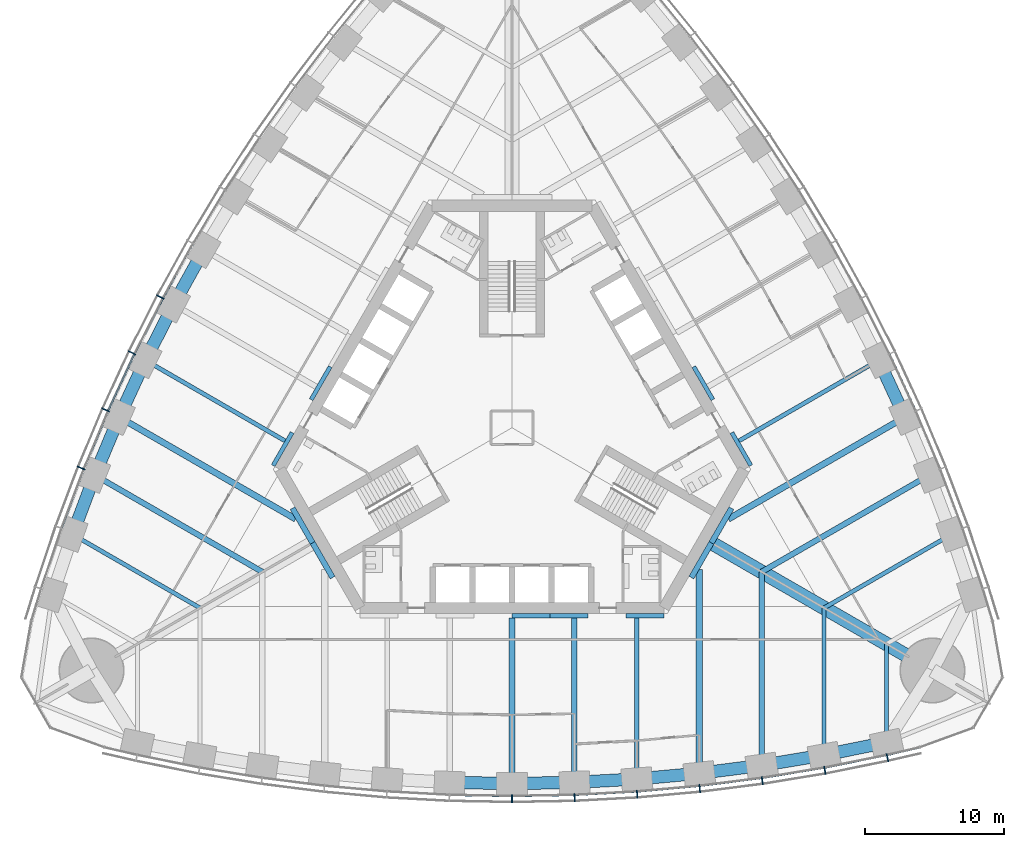
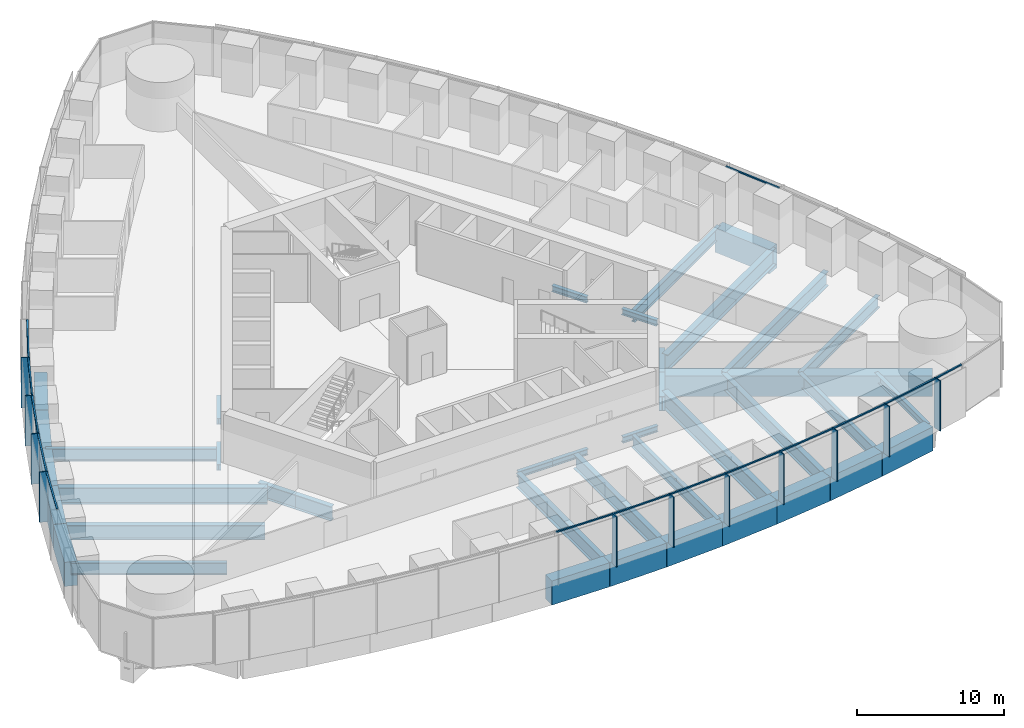
# One storey, part 3 of 18: 40 beams, 25 members, 3 elements without a shape of their own.
"""IFC4 building model written with IfcOpenShell, lengths in metres."""

import ifcopenshell
import ifcopenshell.guid

model = None  # the IFC model being written
_history = None  # IfcOwnerHistory: only IFC2X3 demands one
_inside = {}  # id of a spatial element -> (the spatial element, [elements in it])
_under = {}  # id of a project, library or spatial element -> (it, [spatial elements below it])
_declared = {}  # id of a project -> (the project, [libraries it declares])
_typed = {}  # id of a type object -> (the type object, [elements of that type])
_made_of = {}  # id of a material, layer set ... -> (it, [elements and type objects made of it])


def new_model(schema):
    """Start an empty IFC model of exactly this schema.

    Asked for "IFC4X3", IfcOpenShell would pick the latest addendum, in which some entities
    have other attributes; the version numbers below select the first issue.
    IFC2X3 requires an IfcOwnerHistory on every rooted entity: one is made here for all.
    """
    global model, _history
    if schema == "IFC4X3":
        model = ifcopenshell.file(schema_version=(4, 3, 0, 0))
    else:
        model = ifcopenshell.file(schema=schema)
    _inside.clear()
    _under.clear()
    _declared.clear()
    _typed.clear()
    _made_of.clear()
    _history = None
    if model.schema == "IFC2X3":
        org = make("IfcOrganization", Name="unknown")
        user = make(
            "IfcPersonAndOrganization",
            ThePerson=make("IfcPerson", FamilyName="unknown"),
            TheOrganization=org,
        )
        app = make(
            "IfcApplication",
            ApplicationDeveloper=org,
            Version="unknown",
            ApplicationFullName="unknown",
            ApplicationIdentifier="unknown",
        )
        _history = make(
            "IfcOwnerHistory",
            OwningUser=user,
            OwningApplication=app,
            ChangeAction="ADDED",
            CreationDate=0,
        )
    return model


def make(cls, **values):
    """One entity of the class cls with the attributes given. An attribute that is None is left unset."""
    return model.create_entity(
        cls, **{name: value for name, value in values.items() if value is not None}
    )


def rooted(cls, **values):
    """An entity with a GlobalId (a new one), such as an element, a storey or a relation."""
    return make(cls, GlobalId=ifcopenshell.guid.new(), OwnerHistory=_history, **values)


def si_unit(unit_type, name, prefix=None):
    """IfcSIUnit, for example si_unit("LENGTHUNIT", "METRE", prefix="MILLI")."""
    return make("IfcSIUnit", UnitType=unit_type, Prefix=prefix, Name=name)


def assignment(units):
    """IfcUnitAssignment: the units of a project."""
    return None if units is None else make("IfcUnitAssignment", Units=units)


def point(xyz):
    """IfcCartesianPoint."""
    return None if xyz is None else make("IfcCartesianPoint", Coordinates=xyz)


def direction(xyz):
    """IfcDirection."""
    return None if xyz is None else make("IfcDirection", DirectionRatios=xyz)


def frame(location, z_axis=None, x_axis=None):
    """IfcAxis2Placement3D, a coordinate frame: its origin and axes. An axis left out is left unset."""
    return make(
        "IfcAxis2Placement3D",
        Location=point(location),
        Axis=direction(z_axis),
        RefDirection=direction(x_axis),
    )


def frame_2d(location, x_axis=None):
    """IfcAxis2Placement2D, a coordinate frame in the plane: its origin and x axis."""
    return make(
        "IfcAxis2Placement2D", Location=point(location), RefDirection=direction(x_axis)
    )


def origin():
    """The frame at (0, 0, 0) with its axes left unset."""
    return frame((0.0, 0.0, 0.0))


def origin_2d():
    """The frame at (0, 0) in the plane with its x axis left unset."""
    return frame_2d((0.0, 0.0))


def place(relative_to, where):
    """IfcLocalPlacement: puts the frame where relative to a parent placement (None: the world)."""
    return make(
        "IfcLocalPlacement", PlacementRelTo=relative_to, RelativePlacement=where
    )


def context(
    kind, dimensions, precision=None, world=None, true_north=None, identifier=None
):
    """IfcGeometricRepresentationContext, for example the 3D "Model" context."""
    return make(
        "IfcGeometricRepresentationContext",
        ContextIdentifier=identifier,
        ContextType=kind,
        CoordinateSpaceDimension=dimensions,
        Precision=precision,
        WorldCoordinateSystem=world,
        TrueNorth=true_north,
    )


def subcontext(parent, identifier, kind, view, scale=None):
    """IfcGeometricRepresentationSubContext, for example "Body" below "Model"."""
    return make(
        "IfcGeometricRepresentationSubContext",
        ContextIdentifier=identifier,
        ContextType=kind,
        ParentContext=parent,
        TargetScale=scale,
        TargetView=view,
    )


def project(units=None, contexts=None):
    """IfcProject with its units and contexts."""
    return rooted(
        "IfcProject",
        Name="project",
        RepresentationContexts=contexts,
        UnitsInContext=assignment(units),
    )


def spatial(cls, under=None, at=None, **own):
    """A site, building, storey or space (cls), placed at a placement, below another one or the project."""
    s = rooted(cls, ObjectPlacement=at, **own)
    if under is not None:
        _under.setdefault(under.id(), (under, []))[1].append(s)
    return s


def profile(cls, at=None, kind="AREA", **sizes):
    """A parametric profile (cls). Its sizes go by their IFC names, for example OverallWidth=200.0."""
    return make(cls, ProfileType=kind, Position=at, **sizes)


def rectangle(**sizes):
    """IfcRectangleProfileDef."""
    return profile("IfcRectangleProfileDef", **sizes)


def i_section(**sizes):
    """IfcIShapeProfileDef."""
    return profile("IfcIShapeProfileDef", **sizes)


def extrude(swept, where, along, depth):
    """IfcExtrudedAreaSolid: the profile swept, set in the frame where, extruded along a direction by depth."""
    return make(
        "IfcExtrudedAreaSolid",
        SweptArea=swept,
        Position=where,
        ExtrudedDirection=direction(along),
        Depth=depth,
    )


def shape(context_of_items, identifier, shape_type, items):
    """IfcShapeRepresentation: the items that make up one representation, for example the "Body"."""
    return make(
        "IfcShapeRepresentation",
        ContextOfItems=context_of_items,
        RepresentationIdentifier=identifier,
        RepresentationType=shape_type,
        Items=items,
    )


def material(Name=None, Category=None):
    """IfcMaterial."""
    return make("IfcMaterial", Name=Name, Category=Category)


def material_profile(
    of_material, cross_section, Name=None, Category=None, Priority=None
):
    """IfcMaterialProfile: a cross section and its material."""
    return make(
        "IfcMaterialProfile",
        Name=Name,
        Material=of_material,
        Profile=cross_section,
        Priority=Priority,
        Category=Category,
    )


def profile_set(profiles, Name=None, composite=None):
    """IfcMaterialProfileSet."""
    return make(
        "IfcMaterialProfileSet",
        Name=Name,
        MaterialProfiles=profiles,
        CompositeProfile=composite,
    )


def made_of(thing, what):
    """Note that an element or type object is made of a material, layer set ...; save() writes the relation."""
    if what is not None:
        _made_of.setdefault(what.id(), (what, []))[1].append(thing)
    return thing


def type_object(cls, material=None, **own):
    """A type object (cls), such as IfcWallType, which elements share."""
    return made_of(rooted(cls, **own), material)


def element(
    cls,
    number,
    at=None,
    inside=None,
    cuts=None,
    type_object=None,
    material=None,
    context=None,
    identifier="Body",
    shape_type=None,
    held_by="IfcProductDefinitionShape",
    body=None,
    shapes=None,
    **own,
):
    """One element of the class cls, such as IfcWall. Its Tag is "e" and its number.

    at: its placement. inside: the storey or other place that contains it. cuts: it is an
    opening in that element (IfcRelVoidsElement). A single representation is given by context,
    identifier, shape_type and body (its items); several are given by shapes. held_by: the class
    of the entity that holds the representations. save() writes the other relations.
    """
    e = rooted(cls, Tag="e%d" % number, ObjectPlacement=at, **own)
    if body is not None:
        shapes = [shape(context, identifier, shape_type, body)]
    if shapes is not None:
        e.Representation = make(held_by, Representations=shapes)
    if inside is not None:
        _inside.setdefault(inside.id(), (inside, []))[1].append(e)
    if cuts is not None:
        rooted(
            "IfcRelVoidsElement", RelatingBuildingElement=cuts, RelatedOpeningElement=e
        )
    if type_object is not None:
        _typed.setdefault(type_object.id(), (type_object, []))[1].append(e)
    return made_of(e, material)


def aggregate(whole, parts):
    """IfcRelAggregates: a whole, such as a stair, and the parts it consists of."""
    return rooted("IfcRelAggregates", RelatingObject=whole, RelatedObjects=parts)


def save(model, path):
    """Write the relations noted so far, then the file.

    IfcRelAggregates (storeys below a building ...), IfcRelContainedInSpatialStructure (elements
    in a storey), IfcRelDefinesByType, IfcRelAssociatesMaterial and IfcRelDeclares: one each for
    every whole, place, type object, material and project.
    """
    for whole, parts in _under.values():
        aggregate(whole, parts)
    for where, things in _inside.values():
        rooted(
            "IfcRelContainedInSpatialStructure",
            RelatedElements=things,
            RelatingStructure=where,
        )
    for kind, things in _typed.values():
        rooted("IfcRelDefinesByType", RelatedObjects=things, RelatingType=kind)
    for what, things in _made_of.values():
        rooted("IfcRelAssociatesMaterial", RelatedObjects=things, RelatingMaterial=what)
    for by, libraries in _declared.values():
        rooted("IfcRelDeclares", RelatingContext=by, RelatedDefinitions=libraries)
    model.write(path)


model = new_model("IFC4")

# Units and contexts
model_context = context("Model", 3, precision=1e-05, world=origin(), true_north=direction((0.0, 1.0)))
body_context = subcontext(model_context, "Body", "Model", "MODEL_VIEW")
ifc_project = project(units=[si_unit("LENGTHUNIT", "METRE"), si_unit("AREAUNIT", "SQUARE_METRE"), si_unit("VOLUMEUNIT", "CUBIC_METRE"), si_unit("PLANEANGLEUNIT", "RADIAN"), si_unit("MASSUNIT", "GRAM", prefix="KILO")], contexts=[model_context])

# Site, building, storey
site_placement = place(None, origin())
site = spatial("IfcSite", under=ifc_project, at=site_placement, CompositionType="ELEMENT")
building_placement = place(site_placement, origin())
building = spatial("IfcBuilding", under=site, at=building_placement, Name="Trefoil Bronze Tower", CompositionType="ELEMENT")
storey_placement = place(building_placement, frame((0.0, 0.0, 115.699951171875)))
storey = spatial("IfcBuildingStorey", under=building, at=storey_placement, Name="L26", CompositionType="ELEMENT", Elevation=115.699951171875)

# Curtain wall, members
ifc_material_1 = material(Name="Tinted solar-control glass", Category="glass")
curtain_wall_type = type_object("IfcCurtainWallType", Name="Bronze office curtain wall", PredefinedType="USERDEFINED", material=ifc_material_1)
curtain_wall_1_placement = place(storey_placement, origin())
curtain_wall_1 = element("IfcCurtainWall", 1, at=curtain_wall_1_placement, inside=storey, type_object=curtain_wall_type, Name="CW-A L26 F1", ObjectType="CURTAIN WALL", PredefinedType="USERDEFINED")
ifc_material_2 = material(Name="Bronze-finish aluminium", Category="aluminium")
ifc_material_profile_1 = material_profile(ifc_material_2, rectangle(XDim=0.60009765625, YDim=0.080078125, at=origin_2d()), Name="CW-A mullion")
ifc_profile_set_1 = profile_set([ifc_material_profile_1], Name="Bronze-finish aluminium")
member_type_1 = type_object("IfcMemberType", Name="Bronze office curtain wall mullion", PredefinedType="MULLION", material=ifc_profile_set_1)
member_1_placement = place(storey_placement, frame((0.0, -26.749755859375, 0.0), z_axis=(0.0, 0.0, 1.0), x_axis=(0.0, 1.0, 0.0)))
member_1 = element("IfcMember", 2, at=member_1_placement, type_object=member_type_1, Name="CW-A L26 F1 mullion 8", PredefinedType="MULLION", context=body_context, shape_type="SweptSolid", body=[
    extrude(rectangle(XDim=0.60009765625, YDim=0.080078125, at=origin_2d()), origin(), (0.0, 0.0, 1.0), 4.179931640625),
])
member_2_placement = place(storey_placement, frame((4.5107421875, -26.66845703125, 0.0), z_axis=(0.0, 0.0, 1.0), x_axis=(-0.036047792107, 0.999350067136, 0.0)))
member_2 = element("IfcMember", 3, at=member_2_placement, type_object=member_type_1, Name="CW-A L26 F1 mullion 9", PredefinedType="MULLION", context=body_context, shape_type="SweptSolid", body=[
    extrude(rectangle(XDim=0.60009765625, YDim=0.080078125, at=origin_2d()), origin(), (0.0, 0.0, 1.0), 4.179931640625),
])
member_3_placement = place(storey_placement, frame((9.021728515625, -26.424072265625, 0.0), z_axis=(0.0, 0.0, 1.0), x_axis=(-0.072095676284, 0.997397720802, 0.0)))
member_3 = element("IfcMember", 4, at=member_3_placement, type_object=member_type_1, Name="CW-A L26 F1 mullion 10", PredefinedType="MULLION", context=body_context, shape_type="SweptSolid", body=[
    extrude(rectangle(XDim=0.60009765625, YDim=0.080078125, at=origin_2d()), origin(), (0.0, 0.0, 1.0), 4.179931640625),
])
member_4_placement = place(storey_placement, frame((13.532470703125, -26.01611328125, 0.0), z_axis=(0.0, 0.0, 1.0), x_axis=(-0.108143747013, 0.994135267447, 0.0)))
member_4 = element("IfcMember", 5, at=member_4_placement, type_object=member_type_1, Name="CW-A L26 F1 mullion 11", PredefinedType="MULLION", context=body_context, shape_type="SweptSolid", body=[
    extrude(rectangle(XDim=0.60009765625, YDim=0.080078125, at=origin_2d()), origin(), (0.0, 0.0, 1.0), 4.179931640625),
])
member_5_placement = place(storey_placement, frame((18.043212890625, -25.4423828125, 0.0), z_axis=(0.0, 0.0, 1.0), x_axis=(-0.144192103798, 0.989549714366, 0.0)))
member_5 = element("IfcMember", 6, at=member_5_placement, type_object=member_type_1, Name="CW-A L26 F1 mullion 12", PredefinedType="MULLION", context=body_context, shape_type="SweptSolid", body=[
    extrude(rectangle(XDim=0.60009765625, YDim=0.080078125, at=origin_2d()), origin(), (0.0, 0.0, 1.0), 4.179931640625),
])
member_6_placement = place(storey_placement, frame((22.553955078125, -24.700927734375, 0.0), z_axis=(0.0, 0.0, 1.0), x_axis=(-0.180240853954, 0.98362250613, 0.0)))
member_6 = element("IfcMember", 7, at=member_6_placement, type_object=member_type_1, Name="CW-A L26 F1 mullion 13", PredefinedType="MULLION", context=body_context, shape_type="SweptSolid", body=[
    extrude(rectangle(XDim=0.60009765625, YDim=0.080078125, at=origin_2d()), origin(), (0.0, 0.0, 1.0), 4.179931640625),
])
member_7_placement = place(storey_placement, frame((27.0634765625, -23.7890625, 0.0), z_axis=(0.0, 0.0, 1.0), x_axis=(-0.21197042503, 0.977276081214, 0.0)))
member_7 = element("IfcMember", 8, at=member_7_placement, type_object=member_type_1, Name="CW-A L26 F1 mullion 14", PredefinedType="MULLION", context=body_context, shape_type="SweptSolid", body=[
    extrude(rectangle(XDim=0.60009765625, YDim=0.080078125, at=origin_2d()), origin(), (0.0, 0.0, 1.0), 4.179931640625),
])

curtain_wall_2_placement = place(storey_placement, origin())
curtain_wall_2 = element("IfcCurtainWall", 9, at=curtain_wall_2_placement, inside=storey, type_object=curtain_wall_type, Name="CW-A L26 F3", ObjectType="CURTAIN WALL", PredefinedType="USERDEFINED")
member_8_placement = place(storey_placement, frame((-25.350830078125, 9.427734375, 0.0), z_axis=(0.0, 0.0, 1.0), x_axis=(0.883486441467, -0.468456729853, 0.0)))
member_8 = element("IfcMember", 10, at=member_8_placement, type_object=member_type_1, Name="CW-A L26 F3 mullion 9", PredefinedType="MULLION", context=body_context, shape_type="SweptSolid", body=[
    extrude(rectangle(XDim=0.60009765625, YDim=0.080078125, at=origin_2d()), origin(), (0.0, 0.0, 1.0), 4.179931640625),
])
member_9_placement = place(storey_placement, frame((-27.394775390625, 5.399169921875, 0.0), z_axis=(0.0, 0.0, 1.0), x_axis=(0.899819602033, -0.436262173236, 0.0)))
member_9 = element("IfcMember", 11, at=member_9_placement, type_object=member_type_1, Name="CW-A L26 F3 mullion 10", PredefinedType="MULLION", context=body_context, shape_type="SweptSolid", body=[
    extrude(rectangle(XDim=0.60009765625, YDim=0.080078125, at=origin_2d()), origin(), (0.0, 0.0, 1.0), 4.179931640625),
])
member_10_placement = place(storey_placement, frame((-29.296875, 1.28857421875, 0.0), z_axis=(0.0, 0.0, 1.0), x_axis=(0.915018269914, -0.40341240155, 0.0)))
member_10 = element("IfcMember", 12, at=member_10_placement, type_object=member_type_1, Name="CW-A L26 F3 mullion 11", PredefinedType="MULLION", context=body_context, shape_type="SweptSolid", body=[
    extrude(rectangle(XDim=0.60009765625, YDim=0.080078125, at=origin_2d()), origin(), (0.0, 0.0, 1.0), 4.179931640625),
])
member_11_placement = place(storey_placement, frame((-31.055419921875, -2.90478515625, 0.0), z_axis=(0.0, 0.0, 1.0), x_axis=(0.929071242848, -0.369900832269, 0.0)))
member_11 = element("IfcMember", 13, at=member_11_placement, type_object=member_type_1, Name="CW-A L26 F3 mullion 12", PredefinedType="MULLION", context=body_context, shape_type="SweptSolid", body=[
    extrude(rectangle(XDim=0.60009765625, YDim=0.080078125, at=origin_2d()), origin(), (0.0, 0.0, 1.0), 4.179931640625),
])

# Member
ifc_material_3 = material(Name="Bronze-finish aluminium", Category="aluminium")
ifc_material_profile_2 = material_profile(ifc_material_3, rectangle(XDim=0.1201171875, YDim=0.10009765625, at=origin_2d()), Name="CW-A transom")
ifc_profile_set_2 = profile_set([ifc_material_profile_2], Name="Bronze-finish aluminium")
member_type_2 = type_object("IfcMemberType", Name="Bronze office curtain wall transom", PredefinedType="USERDEFINED", material=ifc_profile_set_2)
member_12_placement = place(storey_placement, frame((-4.4619140625, -26.46923828125, 4.130126953125), z_axis=(0.999837930028, -0.018003157426, 0.0), x_axis=(0.018003157426, 0.999837930028, 0.0)))
member_12 = element("IfcMember", 14, at=member_12_placement, type_object=member_type_2, Name="CW-A L26 F1 transom 7", ObjectType="TRANSOM", PredefinedType="USERDEFINED", context=body_context, shape_type="SweptSolid", body=[
    extrude(rectangle(XDim=0.1201171875, YDim=0.10009765625, at=origin_2d()), origin(), (0.0, 0.0, 1.0), 4.4208984375),
])

member_13_placement = place(storey_placement, frame((0.041748046875, -26.548828125, 4.130126953125), z_axis=(0.999837930028, 0.018003157426, 0.0), x_axis=(-0.018003157426, 0.999837930028, 0.0)))
member_13 = element("IfcMember", 15, at=member_13_placement, type_object=member_type_2, Name="CW-A L26 F1 transom 8", ObjectType="TRANSOM", PredefinedType="USERDEFINED", context=body_context, shape_type="SweptSolid", body=[
    extrude(rectangle(XDim=0.1201171875, YDim=0.10009765625, at=origin_2d()), origin(), (0.0, 0.0, 1.0), 4.4208984375),
])

member_14_placement = place(storey_placement, frame((4.54541015625, -26.46630859375, 4.130126953125), z_axis=(0.998538253569, 0.054049571306, 0.0), x_axis=(-0.054049571306, 0.998538253569, 0.0)))
member_14 = element("IfcMember", 16, at=member_14_placement, type_object=member_type_2, Name="CW-A L26 F1 transom 9", ObjectType="TRANSOM", PredefinedType="USERDEFINED", context=body_context, shape_type="SweptSolid", body=[
    extrude(rectangle(XDim=0.1201171875, YDim=0.10009765625, at=origin_2d()), origin(), (0.0, 0.0, 1.0), 4.4267578125),
])

member_15_placement = place(storey_placement, frame((9.048828125, -26.220947265625, 4.130126953125), z_axis=(0.995932787062, 0.090099298863, 0.0), x_axis=(-0.090099298863, 0.995932787062, 0.0)))
member_15 = element("IfcMember", 17, at=member_15_placement, type_object=member_type_2, Name="CW-A L26 F1 transom 10", ObjectType="TRANSOM", PredefinedType="USERDEFINED", context=body_context, shape_type="SweptSolid", body=[
    extrude(rectangle(XDim=0.1201171875, YDim=0.10009765625, at=origin_2d()), origin(), (0.0, 0.0, 1.0), 4.4384765625),
])

member_16_placement = place(storey_placement, frame((13.55224609375, -25.81201171875, 4.130126953125), z_axis=(0.992008387848, 0.12617193998, 0.0), x_axis=(-0.12617193998, 0.992008387848, 0.0)))
member_16 = element("IfcMember", 18, at=member_16_placement, type_object=member_type_2, Name="CW-A L26 F1 transom 11", ObjectType="TRANSOM", PredefinedType="USERDEFINED", context=body_context, shape_type="SweptSolid", body=[
    extrude(rectangle(XDim=0.1201171875, YDim=0.10009765625, at=origin_2d()), origin(), (0.0, 0.0, 1.0), 4.456298828125),
])

member_17_placement = place(storey_placement, frame((18.0556640625, -25.23779296875, 4.130126953125), z_axis=(0.986755265284, 0.162216048636, 0.0), x_axis=(-0.162216048636, 0.986755265284, 0.0)))
member_17 = element("IfcMember", 19, at=member_17_placement, type_object=member_type_2, Name="CW-A L26 F1 transom 12", ObjectType="TRANSOM", PredefinedType="USERDEFINED", context=body_context, shape_type="SweptSolid", body=[
    extrude(rectangle(XDim=0.1201171875, YDim=0.10009765625, at=origin_2d()), origin(), (0.0, 0.0, 1.0), 4.48046875),
])

member_18_placement = place(storey_placement, frame((22.55908203125, -24.49609375, 4.130126953125), z_axis=(0.980153749225, 0.198238815273, 0.0), x_axis=(-0.198238815273, 0.980153749225, 0.0)))
member_18 = element("IfcMember", 20, at=member_18_placement, type_object=member_type_2, Name="CW-A L26 F1 transom 13", ObjectType="TRANSOM", PredefinedType="USERDEFINED", context=body_context, shape_type="SweptSolid", body=[
    extrude(rectangle(XDim=0.1201171875, YDim=0.10009765625, at=origin_2d()), origin(), (0.0, 0.0, 1.0), 4.51123046875),
])

member_19_placement = place(storey_placement, frame((27.0615234375, -23.584228515625, 4.130126953125), z_axis=(0.974206243495, 0.225659467196, 0.0), x_axis=(-0.225659467196, 0.974206243495, 0.0)))
member_19 = element("IfcMember", 21, at=member_19_placement, type_object=member_type_2, Name="CW-A L26 F1 transom 14", ObjectType="TRANSOM", PredefinedType="USERDEFINED", context=body_context, shape_type="SweptSolid", body=[
    extrude(rectangle(XDim=0.1201171875, YDim=0.10009765625, at=origin_2d()), origin(), (0.0, 0.0, 1.0), 2.340087890625),
])

aggregate(curtain_wall_1, [member_1, member_2, member_3, member_4, member_5, member_6, member_7, member_12, member_13, member_14, member_15, member_16, member_17, member_18, member_19])

# Curtain wall, member
curtain_wall_3_placement = place(storey_placement, origin())
curtain_wall_3 = element("IfcCurtainWall", 22, at=curtain_wall_3_placement, inside=storey, type_object=curtain_wall_type, Name="CW-A L26 F2", ObjectType="CURTAIN WALL", PredefinedType="USERDEFINED")
member_20_placement = place(storey_placement, frame((29.09619140625, 1.245849609375, 4.130126953125), z_axis=(-0.419923072198, 0.907559702409, 0.0), x_axis=(-0.907559702409, -0.419923072198, 0.0)))
member_20 = element("IfcMember", 23, at=member_20_placement, type_object=member_type_2, Name="CW-A L26 F2 transom 5", ObjectType="TRANSOM", PredefinedType="USERDEFINED", context=body_context, shape_type="SweptSolid", body=[
    extrude(rectangle(XDim=0.1201171875, YDim=0.10009765625, at=origin_2d()), origin(), (0.0, 0.0, 1.0), 4.4384765625),
])
aggregate(curtain_wall_3, [member_20])

# Member
member_21_placement = place(storey_placement, frame((-23.012939453125, 13.23828125, 4.130126953125), z_axis=(-0.484329470343, -0.874885686337, 0.0), x_axis=(0.874885686337, -0.484329470343, 0.0)))
member_21 = element("IfcMember", 24, at=member_21_placement, type_object=member_type_2, Name="CW-A L26 F3 transom 8", ObjectType="TRANSOM", PredefinedType="USERDEFINED", context=body_context, shape_type="SweptSolid", body=[
    extrude(rectangle(XDim=0.1201171875, YDim=0.10009765625, at=origin_2d()), origin(), (0.0, 0.0, 1.0), 4.4208984375),
])

member_22_placement = place(storey_placement, frame((-25.193115234375, 9.296630859375, 4.130126953125), z_axis=(-0.452478489814, -0.891775317138, 0.0), x_axis=(0.891775317138, -0.452478489814, 0.0)))
member_22 = element("IfcMember", 25, at=member_22_placement, type_object=member_type_2, Name="CW-A L26 F3 transom 9", ObjectType="TRANSOM", PredefinedType="USERDEFINED", context=body_context, shape_type="SweptSolid", body=[
    extrude(rectangle(XDim=0.1201171875, YDim=0.10009765625, at=origin_2d()), origin(), (0.0, 0.0, 1.0), 4.426513671875),
])

member_23_placement = place(storey_placement, frame((-27.232421875, 5.27392578125, 4.130126953125), z_axis=(-0.419923072198, -0.907559702409, 0.0), x_axis=(0.907559702409, -0.419923072198, 0.0)))
member_23 = element("IfcMember", 26, at=member_23_placement, type_object=member_type_2, Name="CW-A L26 F3 transom 10", ObjectType="TRANSOM", PredefinedType="USERDEFINED", context=body_context, shape_type="SweptSolid", body=[
    extrude(rectangle(XDim=0.1201171875, YDim=0.10009765625, at=origin_2d()), origin(), (0.0, 0.0, 1.0), 4.4384765625),
])

member_24_placement = place(storey_placement, frame((-29.1298828125, 1.16943359375, 4.130126953125), z_axis=(-0.386773266184, -0.922174842731, 0.0), x_axis=(0.922174842731, -0.386773266184, 0.0)))
member_24 = element("IfcMember", 27, at=member_24_placement, type_object=member_type_2, Name="CW-A L26 F3 transom 11", ObjectType="TRANSOM", PredefinedType="USERDEFINED", context=body_context, shape_type="SweptSolid", body=[
    extrude(rectangle(XDim=0.1201171875, YDim=0.10009765625, at=origin_2d()), origin(), (0.0, 0.0, 1.0), 4.45654296875),
])

member_25_placement = place(storey_placement, frame((-30.88427734375, -3.017822265625, 4.130126953125), z_axis=(-0.352932154759, -0.935648916067, 0.0), x_axis=(0.935648916067, -0.352932154759, 0.0)))
member_25 = element("IfcMember", 28, at=member_25_placement, type_object=member_type_2, Name="CW-A L26 F3 transom 12", ObjectType="TRANSOM", PredefinedType="USERDEFINED", context=body_context, shape_type="SweptSolid", body=[
    extrude(rectangle(XDim=0.1201171875, YDim=0.10009765625, at=origin_2d()), origin(), (0.0, 0.0, 1.0), 4.48046875),
])

aggregate(curtain_wall_2, [member_8, member_9, member_10, member_11, member_21, member_22, member_23, member_24, member_25])

# Beams
ifc_material_4 = material(Name="Steel C355", Category="steel")
ifc_material_profile_3 = material_profile(ifc_material_4, i_section(OverallWidth=0.300048828125, OverallDepth=0.5, WebThickness=0.014404296875, FlangeThickness=0.028076171875, FilletRadius=0.027099609375, at=origin_2d()), Name="HEB 500")
ifc_profile_set_3 = profile_set([ifc_material_profile_3], Name="Steel C355")
beam_type_1 = type_object("IfcBeamType", Name="Core seat beam HEB 500", PredefinedType="BEAM", material=ifc_profile_set_3)
for number, where, z_axis, x_axis, name in (
    (29, (0.0, -13.550048828125, -0.449951171875), (1.0, 0.0, 0.0), (0.0, 1.0, 0.0), "Core seat beam F1/+0 L26"),
    (30, (2.742431640625, -13.550048828125, -0.449951171875), (1.0, 0.0, 0.0), (0.0, 1.0, 0.0), "Core seat beam F1/+1 L26"),
    (31, (8.227294921875, -13.550048828125, -0.449951171875), (1.0, 0.0, 0.0), (0.0, 1.0, 0.0), "Core seat beam F1/+2 L26"),
    (32, (17.219482421875, -2.72509765625, -0.449951171875), (-0.500035825175, 0.866004719122, 0.0), (-0.866004719122, -0.500035825175, 0.0), "Core seat beam F2/-2 L26"),
    (33, (14.47705078125, 2.02490234375, -0.449951171875), (-0.499969057507, 0.866043267704, 0.0), (-0.866043267704, -0.499969057507, 0.0), "Core seat beam F2/-1 L26"),
    (34, (-13.10595703125, 4.39990234375, -0.449951171875), (-0.499969057507, -0.866043267704, 0.0), (0.866043267704, -0.499969057507, 0.0), "Core seat beam F3/+1 L26"),
    (35, (-15.84814453125, -0.35009765625, -0.449951171875), (-0.500035825175, -0.866004719122, 0.0), (0.866004719122, -0.500035825175, 0.0), "Core seat beam F3/+2 L26"),
):
    element("IfcBeam", number, at=place(storey_placement, frame(where, z_axis=z_axis, x_axis=x_axis)), inside=storey, type_object=beam_type_1, Name=name, PredefinedType="BEAM", context=body_context, shape_type="SweptSolid", body=[
        extrude(i_section(OverallWidth=0.300048828125, OverallDepth=0.5, WebThickness=0.014404296875, FlangeThickness=0.028076171875, FilletRadius=0.027099609375, at=origin_2d()), origin(), (0.0, 0.0, 1.0), 2.742431640625),
    ])
ifc_material_5 = material(Name="Steel C355", Category="steel")
ifc_material_profile_4 = material_profile(ifc_material_5, i_section(OverallWidth=0.39990234375, OverallDepth=1.199951171875, WebThickness=0.02001953125, FlangeThickness=0.0400390625, FilletRadius=0.010009765625, at=origin_2d()), Name="WPG 1200")
ifc_profile_set_4 = profile_set([ifc_material_profile_4], Name="Steel C355")
beam_type_2 = type_object("IfcBeamType", Name="Core seat beam WPG 1200", PredefinedType="BEAM", material=ifc_profile_set_4)
for number, where, z_axis, x_axis, name in (
    (36, (-14.3759765625, -8.300048828125, -0.800048828125), (0.499995765644, -0.866027848477, 0.0), (0.866027848477, 0.499995765644, 0.0), "Core seat beam F1/-3 L26"),
    (37, (12.9326171875, -10.800048828125, -0.800048828125), (0.499995765644, 0.866027848477, 0.0), (-0.866027848477, 0.499995765644, 0.0), "Core seat beam F1/+3 L26"),
    (38, (14.3759765625, -8.300048828125, -0.800048828125), (0.499995765644, 0.866027848477, 0.0), (-0.866027848477, 0.499995765644, 0.0), "Core seat beam F2/-3 L26"),
    (39, (-15.8193359375, -5.800048828125, -0.800048828125), (0.499995765644, -0.866027848477, 0.0), (0.866027848477, 0.499995765644, 0.0), "Core seat beam F3/+3 L26"),
):
    element("IfcBeam", number, at=place(storey_placement, frame(where, z_axis=z_axis, x_axis=x_axis)), inside=storey, type_object=beam_type_2, Name=name, PredefinedType="BEAM", context=body_context, shape_type="SweptSolid", body=[
        extrude(i_section(OverallWidth=0.39990234375, OverallDepth=1.199951171875, WebThickness=0.02001953125, FlangeThickness=0.0400390625, FilletRadius=0.010009765625, at=origin_2d()), origin(), (0.0, 0.0, 1.0), 2.88671875),
    ])
ifc_material_6 = material(Name="Concrete B80", Category="concrete")
ifc_material_profile_5 = material_profile(ifc_material_6, rectangle(XDim=1.0, YDim=1.699951171875, at=origin_2d()), Name="RC 1000x1700")
ifc_profile_set_5 = profile_set([ifc_material_profile_5], Name="Concrete B80")
beam_type_3 = type_object("IfcBeamType", Name="Corner girder RC 1000x1700", PredefinedType="BEAM", material=ifc_profile_set_5)
beam_1_placement = place(storey_placement, frame((14.202880859375, -8.199951171875, -1.050048828125), z_axis=(0.866022084834, -0.500005748546, 0.0), x_axis=(0.500005748546, 0.866022084834, 0.0)))
element("IfcBeam", 40, at=beam_1_placement, inside=storey, type_object=beam_type_3, Name="Corner girder K1 L26", PredefinedType="BEAM", context=body_context, shape_type="SweptSolid", body=[
    extrude(rectangle(XDim=1.0, YDim=1.699951171875, at=origin_2d()), origin(), (0.0, 0.0, 1.0), 18.599853515625),
])
ifc_material_7 = material(Name="Steel C355", Category="steel")
ifc_material_profile_6 = material_profile(ifc_material_7, i_section(OverallWidth=0.300048828125, OverallDepth=1.0, WebThickness=0.01904296875, FlangeThickness=0.035888671875, FilletRadius=0.030029296875, at=origin_2d()), Name="HEB 1000")
ifc_profile_set_6 = profile_set([ifc_material_profile_6], Name="Steel C355")
beam_type_4 = type_object("IfcBeamType", Name="Floor beam HEB 1000", PredefinedType="BEAM", material=ifc_profile_set_6)
beam_2_placement = place(storey_placement, frame((22.5, -23.592529296875, -0.699951171875), z_axis=(0.0, 1.0, 0.0), x_axis=(-1.0, 0.0, 0.0)))
element("IfcBeam", 41, at=beam_2_placement, inside=storey, type_object=beam_type_4, Name="Floor beam F1/+5 L26", PredefinedType="BEAM", context=body_context, shape_type="SweptSolid", body=[
    extrude(i_section(OverallWidth=0.300048828125, OverallDepth=1.0, WebThickness=0.01904296875, FlangeThickness=0.035888671875, FilletRadius=0.030029296875, at=origin_2d()), origin(), (0.0, 0.0, 1.0), 10.60205078125),
])
for number, where, z_axis, x_axis, name in (
    (42, (31.681884765625, -7.689208984375, -0.699951171875), (-0.866021079084, -0.500007490527, 0.0), (0.500007490527, -0.866021079084, 0.0), "Floor beam F2/-5 L26"),
    (43, (-31.681884765625, -7.689208984375, -0.699951171875), (0.866021079084, -0.500007490527, 0.0), (0.500007490527, 0.866021079084, 0.0), "Floor beam F3/+5 L26"),
):
    element("IfcBeam", number, at=place(storey_placement, frame(where, z_axis=z_axis, x_axis=x_axis)), inside=storey, type_object=beam_type_4, Name=name, PredefinedType="BEAM", context=body_context, shape_type="SweptSolid", body=[
        extrude(i_section(OverallWidth=0.300048828125, OverallDepth=1.0, WebThickness=0.01904296875, FlangeThickness=0.035888671875, FilletRadius=0.030029296875, at=origin_2d()), origin(), (0.0, 0.0, 1.0), 10.602294921875),
    ])
ifc_material_8 = material(Name="Steel C355", Category="steel")
ifc_material_profile_7 = material_profile(ifc_material_8, i_section(OverallWidth=0.300048828125, OverallDepth=0.60009765625, WebThickness=0.015380859375, FlangeThickness=0.030029296875, FilletRadius=0.027099609375, at=origin_2d()), Name="HEB 600")
ifc_profile_set_7 = profile_set([ifc_material_profile_7], Name="Steel C355")
beam_type_5 = type_object("IfcBeamType", Name="Floor beam HEB 600", PredefinedType="BEAM", material=ifc_profile_set_7)
beam_3_placement = place(storey_placement, frame((27.0, -22.67724609375, -0.5), z_axis=(0.0, 1.0, 0.0), x_axis=(-1.0, 0.0, 0.0)))
element("IfcBeam", 44, at=beam_3_placement, inside=storey, type_object=beam_type_5, Name="Floor beam F1/+6 L26", PredefinedType="BEAM", context=body_context, shape_type="SweptSolid", body=[
    extrude(i_section(OverallWidth=0.300048828125, OverallDepth=0.60009765625, WebThickness=0.015380859375, FlangeThickness=0.030029296875, FilletRadius=0.027099609375, at=origin_2d()), origin(), (0.0, 0.0, 1.0), 7.0888671875),
])
ifc_material_9 = material(Name="Steel C355", Category="steel")
ifc_material_profile_8 = material_profile(ifc_material_9, i_section(OverallWidth=0.302001953125, OverallDepth=1.008056640625, WebThickness=0.02099609375, FlangeThickness=0.0400390625, FilletRadius=0.030029296875, at=origin_2d()), Name="HEM 1000")
ifc_profile_set_8 = profile_set([ifc_material_profile_8], Name="Steel C355")
beam_type_6 = type_object("IfcBeamType", Name="Floor beam HEM 1000", PredefinedType="BEAM", material=ifc_profile_set_8)
for number, where, z_axis, x_axis, name in (
    (45, (9.0, -25.32275390625, -0.703857421875), (0.0, 1.0, 0.0), (-1.0, 0.0, 0.0), "Floor beam F1/+2 L26"),
    (46, (26.43017578125, 4.8671875, -0.703857421875), (-0.866021531335, -0.500006707218, 0.0), (0.500006707218, -0.866021531335, 0.0), "Floor beam F2/-2 L26"),
    (47, (-26.43017578125, 4.8671875, -0.703857421875), (0.866021531335, -0.500006707218, 0.0), (0.500006707218, 0.866021531335, 0.0), "Floor beam F3/+2 L26"),
):
    element("IfcBeam", number, at=place(storey_placement, frame(where, z_axis=z_axis, x_axis=x_axis)), inside=storey, type_object=beam_type_6, Name=name, PredefinedType="BEAM", context=body_context, shape_type="SweptSolid", body=[
        extrude(i_section(OverallWidth=0.302001953125, OverallDepth=1.008056640625, WebThickness=0.02099609375, FlangeThickness=0.0400390625, FilletRadius=0.030029296875, at=origin_2d()), origin(), (0.0, 0.0, 1.0), 11.622802734375),
    ])
ifc_material_10 = material(Name="Steel C355", Category="steel")
ifc_material_profile_9 = material_profile(ifc_material_10, i_section(OverallWidth=0.39990234375, OverallDepth=1.199951171875, WebThickness=0.02001953125, FlangeThickness=0.0400390625, FilletRadius=0.010009765625, at=origin_2d()), Name="WPG 1200")
ifc_profile_set_9 = profile_set([ifc_material_profile_9], Name="Steel C355")
beam_type_7 = type_object("IfcBeamType", Name="Floor beam WPG 1200", PredefinedType="BEAM", material=ifc_profile_set_9)
beam_4_placement = place(storey_placement, frame((0.0, -25.649658203125, -0.800048828125), z_axis=(0.0, 1.0, 0.0), x_axis=(-1.0, 0.0, 0.0)))
element("IfcBeam", 48, at=beam_4_placement, inside=storey, type_object=beam_type_7, Name="Floor beam F1/+0 L26", PredefinedType="BEAM", context=body_context, shape_type="SweptSolid", body=[
    extrude(i_section(OverallWidth=0.39990234375, OverallDepth=1.199951171875, WebThickness=0.02001953125, FlangeThickness=0.0400390625, FilletRadius=0.010009765625, at=origin_2d()), origin(), (0.0, 0.0, 1.0), 11.94970703125),
])
beam_5_placement = place(storey_placement, frame((4.5, -25.568115234375, -0.800048828125), z_axis=(0.0, 1.0, 0.0), x_axis=(-1.0, 0.0, 0.0)))
element("IfcBeam", 49, at=beam_5_placement, inside=storey, type_object=beam_type_7, Name="Floor beam F1/+1 L26", PredefinedType="BEAM", context=body_context, shape_type="SweptSolid", body=[
    extrude(i_section(OverallWidth=0.39990234375, OverallDepth=1.199951171875, WebThickness=0.02001953125, FlangeThickness=0.0400390625, FilletRadius=0.010009765625, at=origin_2d()), origin(), (0.0, 0.0, 1.0), 11.8681640625),
])
for number, where, z_axis, x_axis, name in (
    (50, (18.0, -24.337158203125, -0.800048828125), (0.0, 1.0, 0.0), (-1.0, 0.0, 0.0), "Floor beam F1/+4 L26"),
    (51, (30.07666015625, -3.419921875, -0.800048828125), (-0.866026983775, -0.499997263366, 0.0), (0.499997263366, -0.866026983775, 0.0), "Floor beam F2/-4 L26"),
    (52, (-30.07666015625, -3.419921875, -0.800048828125), (0.866026983775, -0.499997263366, 0.0), (0.499997263366, 0.866026983775, 0.0), "Floor beam F3/+4 L26"),
):
    element("IfcBeam", number, at=place(storey_placement, frame(where, z_axis=z_axis, x_axis=x_axis)), inside=storey, type_object=beam_type_7, Name=name, PredefinedType="BEAM", context=body_context, shape_type="SweptSolid", body=[
        extrude(i_section(OverallWidth=0.39990234375, OverallDepth=1.199951171875, WebThickness=0.02001953125, FlangeThickness=0.0400390625, FilletRadius=0.010009765625, at=origin_2d()), origin(), (0.0, 0.0, 1.0), 13.94482421875),
    ])
ifc_material_11 = material(Name="Steel C355", Category="steel")
ifc_material_profile_10 = material_profile(ifc_material_11, i_section(OverallWidth=0.449951171875, OverallDepth=1.39990234375, WebThickness=0.02294921875, FlangeThickness=0.044921875, FilletRadius=0.011962890625, at=origin_2d()), Name="WPG 1400")
ifc_profile_set_10 = profile_set([ifc_material_profile_10], Name="Steel C355")
beam_type_8 = type_object("IfcBeamType", Name="Floor beam WPG 1400", PredefinedType="BEAM", material=ifc_profile_set_10)
for number, where, z_axis, x_axis, name in (
    (53, (13.5, -24.9130859375, -0.89990234375), (0.0, 1.0, 0.0), (-1.0, 0.0, 0.0), "Floor beam F1/+3 L26"),
    (54, (28.325439453125, 0.76513671875, -0.89990234375), (-0.866027342682, -0.499996641717, 0.0), (0.499996641717, -0.866027342682, 0.0), "Floor beam F2/-3 L26"),
    (55, (-28.325439453125, 0.76513671875, -0.89990234375), (0.866027342682, -0.499996641717, 0.0), (0.499996641717, 0.866027342682, 0.0), "Floor beam F3/+3 L26"),
):
    element("IfcBeam", number, at=place(storey_placement, frame(where, z_axis=z_axis, x_axis=x_axis)), inside=storey, type_object=beam_type_8, Name=name, PredefinedType="BEAM", context=body_context, shape_type="SweptSolid", body=[
        extrude(i_section(OverallWidth=0.449951171875, OverallDepth=1.39990234375, WebThickness=0.02294921875, FlangeThickness=0.044921875, FilletRadius=0.011962890625, at=origin_2d()), origin(), (0.0, 0.0, 1.0), 14.69580078125),
    ])
ifc_material_12 = material(Name="Concrete B80", Category="concrete")
ifc_material_profile_11 = material_profile(ifc_material_12, rectangle(XDim=0.89990234375, YDim=2.0, at=origin_2d()), Name="RC 900x2000")
ifc_profile_set_11 = profile_set([ifc_material_profile_11], Name="Concrete B80")
beam_type_9 = type_object("IfcBeamType", Name="Spandrel beam RC 900x2000", PredefinedType="SPANDREL", material=ifc_profile_set_11)
for number, where, z_axis, x_axis, name in (
    (56, (-4.5, -25.568115234375, -1.199951171875), (0.999835861267, -0.01811768542, 0.0), (0.01811768542, 0.999835861267, 0.0), "Spandrel F1.7 L26"),
    (57, (0.0, -25.649658203125, -1.199951171875), (0.999835861267, 0.01811768542, 0.0), (-0.01811768542, 0.999835861267, 0.0), "Spandrel F1.8 L26"),
):
    element("IfcBeam", number, at=place(storey_placement, frame(where, z_axis=z_axis, x_axis=x_axis)), inside=storey, type_object=beam_type_9, Name=name, PredefinedType="SPANDREL", context=body_context, shape_type="SweptSolid", body=[
        extrude(rectangle(XDim=0.89990234375, YDim=2.0, at=origin_2d()), origin(), (0.0, 0.0, 1.0), 4.500732421875),
    ])
beam_6_placement = place(storey_placement, frame((4.5, -25.568115234375, -1.199951171875), z_axis=(0.998516832602, 0.054443870267, 0.0), x_axis=(-0.054443870267, 0.998516832602, 0.0)))
element("IfcBeam", 58, at=beam_6_placement, inside=storey, type_object=beam_type_9, Name="Spandrel F1.9 L26", PredefinedType="SPANDREL", context=body_context, shape_type="SweptSolid", body=[
    extrude(rectangle(XDim=0.89990234375, YDim=2.0, at=origin_2d()), origin(), (0.0, 0.0, 1.0), 4.506591796875),
])
beam_7_placement = place(storey_placement, frame((9.0, -25.32275390625, -1.199951171875), z_axis=(0.995881683815, 0.090662405894, 0.0), x_axis=(-0.090662405894, 0.995881683815, 0.0)))
element("IfcBeam", 59, at=beam_7_placement, inside=storey, type_object=beam_type_9, Name="Spandrel F1.10 L26", PredefinedType="SPANDREL", context=body_context, shape_type="SweptSolid", body=[
    extrude(rectangle(XDim=0.89990234375, YDim=2.0, at=origin_2d()), origin(), (0.0, 0.0, 1.0), 4.5185546875),
])
beam_8_placement = place(storey_placement, frame((13.5, -24.9130859375, -1.199951171875), z_axis=(0.991909314257, 0.126948463126, 0.0), x_axis=(-0.126948463126, 0.991909314257, 0.0)))
element("IfcBeam", 60, at=beam_8_placement, inside=storey, type_object=beam_type_9, Name="Spandrel F1.11 L26", PredefinedType="SPANDREL", context=body_context, shape_type="SweptSolid", body=[
    extrude(rectangle(XDim=0.89990234375, YDim=2.0, at=origin_2d()), origin(), (0.0, 0.0, 1.0), 4.53662109375),
])
beam_9_placement = place(storey_placement, frame((18.0, -24.337158203125, -1.199951171875), z_axis=(0.986584214684, 0.163253138823, 0.0), x_axis=(-0.163253138823, 0.986584214684, 0.0)))
element("IfcBeam", 61, at=beam_9_placement, inside=storey, type_object=beam_type_9, Name="Spandrel F1.12 L26", PredefinedType="SPANDREL", context=body_context, shape_type="SweptSolid", body=[
    extrude(rectangle(XDim=0.89990234375, YDim=2.0, at=origin_2d()), origin(), (0.0, 0.0, 1.0), 4.561279296875),
])
beam_10_placement = place(storey_placement, frame((22.5, -23.592529296875, -1.199951171875), z_axis=(0.979935430296, 0.199315208777, 0.0), x_axis=(-0.199315208777, 0.979935430296, 0.0)))
element("IfcBeam", 62, at=beam_10_placement, inside=storey, type_object=beam_type_9, Name="Spandrel F1.13 L26", PredefinedType="SPANDREL", context=body_context, shape_type="SweptSolid", body=[
    extrude(rectangle(XDim=0.89990234375, YDim=2.0, at=origin_2d()), origin(), (0.0, 0.0, 1.0), 4.592041015625),
])
beam_11_placement = place(storey_placement, frame((28.325439453125, 0.76513671875, -1.199951171875), z_axis=(-0.419424747755, 0.907790108434, 0.0), x_axis=(-0.907790108434, -0.419424747755, 0.0)))
element("IfcBeam", 63, at=beam_11_placement, inside=storey, type_object=beam_type_9, Name="Spandrel F2.5 L26", PredefinedType="SPANDREL", context=body_context, shape_type="SweptSolid", body=[
    extrude(rectangle(XDim=0.89990234375, YDim=2.0, at=origin_2d()), origin(), (0.0, 0.0, 1.0), 4.518798828125),
])
beam_12_placement = place(storey_placement, frame((-22.21337890625, 12.824951171875, -1.199951171875), z_axis=(-0.484186866546, -0.874964615436, 0.0), x_axis=(0.874964615436, -0.484186866546, 0.0)))
element("IfcBeam", 64, at=beam_12_placement, inside=storey, type_object=beam_type_9, Name="Spandrel F3.8 L26", PredefinedType="SPANDREL", context=body_context, shape_type="SweptSolid", body=[
    extrude(rectangle(XDim=0.89990234375, YDim=2.0, at=origin_2d()), origin(), (0.0, 0.0, 1.0), 4.500732421875),
])
beam_13_placement = place(storey_placement, frame((-24.392578125, 8.886962890625, -1.199951171875), z_axis=(-0.452125717735, -0.891954222683, 0.0), x_axis=(0.891954222683, -0.452125717735, 0.0)))
element("IfcBeam", 65, at=beam_13_placement, inside=storey, type_object=beam_type_9, Name="Spandrel F3.9 L26", PredefinedType="SPANDREL", context=body_context, shape_type="SweptSolid", body=[
    extrude(rectangle(XDim=0.89990234375, YDim=2.0, at=origin_2d()), origin(), (0.0, 0.0, 1.0), 4.506591796875),
])
beam_14_placement = place(storey_placement, frame((-26.43017578125, 4.8671875, -1.199951171875), z_axis=(-0.419424747755, -0.907790108434, 0.0), x_axis=(0.907790108434, -0.419424747755, 0.0)))
element("IfcBeam", 66, at=beam_14_placement, inside=storey, type_object=beam_type_9, Name="Spandrel F3.10 L26", PredefinedType="SPANDREL", context=body_context, shape_type="SweptSolid", body=[
    extrude(rectangle(XDim=0.89990234375, YDim=2.0, at=origin_2d()), origin(), (0.0, 0.0, 1.0), 4.518798828125),
])
beam_15_placement = place(storey_placement, frame((-28.325439453125, 0.76513671875, -1.199951171875), z_axis=(-0.386013490858, -0.922493135408, 0.0), x_axis=(0.922493135408, -0.386013490858, 0.0)))
element("IfcBeam", 67, at=beam_15_placement, inside=storey, type_object=beam_type_9, Name="Spandrel F3.11 L26", PredefinedType="SPANDREL", context=body_context, shape_type="SweptSolid", body=[
    extrude(rectangle(XDim=0.89990234375, YDim=2.0, at=origin_2d()), origin(), (0.0, 0.0, 1.0), 4.53662109375),
])
beam_16_placement = place(storey_placement, frame((-30.07666015625, -3.419921875, -1.199951171875), z_axis=(-0.351938675523, -0.936023059904, 0.0), x_axis=(0.936023059904, -0.351938675523, 0.0)))
element("IfcBeam", 68, at=beam_16_placement, inside=storey, type_object=beam_type_9, Name="Spandrel F3.12 L26", PredefinedType="SPANDREL", context=body_context, shape_type="SweptSolid", body=[
    extrude(rectangle(XDim=0.89990234375, YDim=2.0, at=origin_2d()), origin(), (0.0, 0.0, 1.0), 4.56103515625),
])

save(model, "model.ifc")
